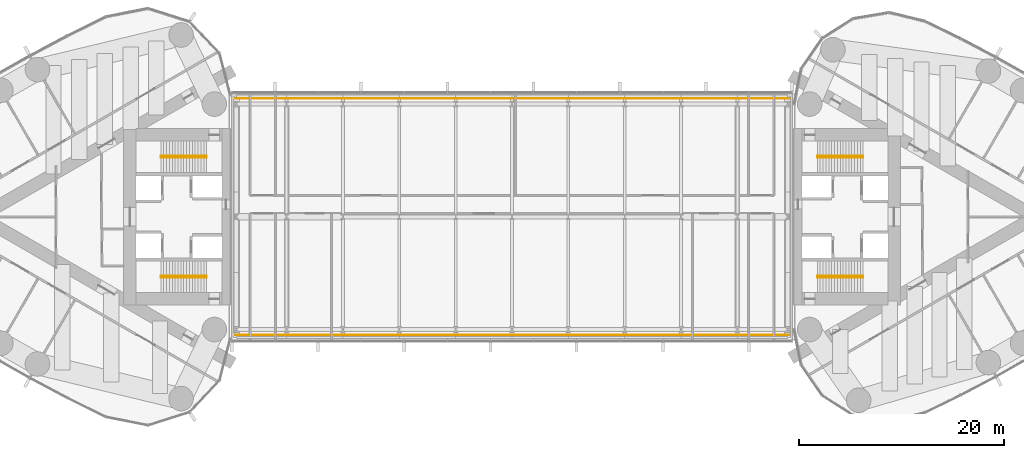
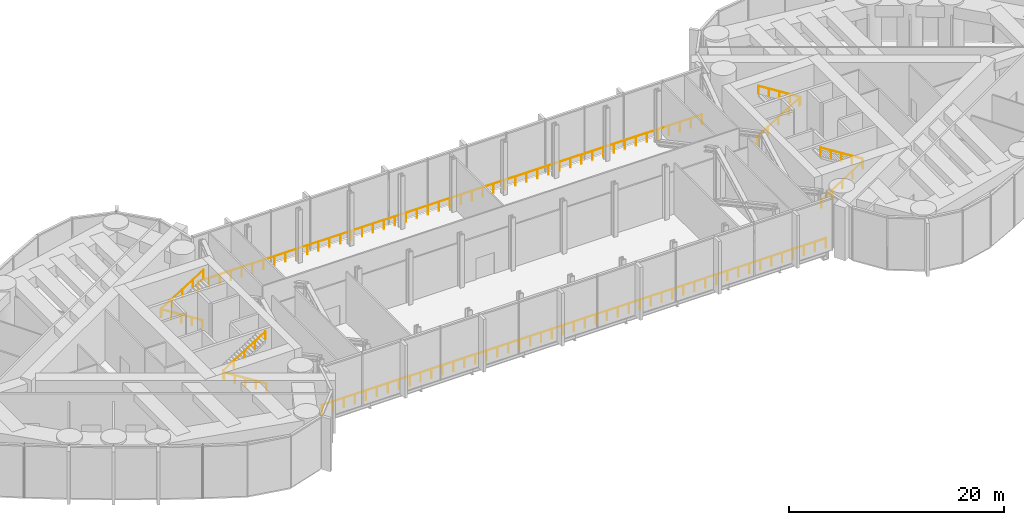
# One storey, part 21 of 21: 10 railings.
"""IFC4 building model written with IfcOpenShell, lengths in metres."""

from ifc_helpers import new_model, si_unit, direction, frame, origin, origin_2d, place, context, subcontext, project, spatial, circle, extrude, material, type_object, element, save


model = new_model("IFC4")

# Units and contexts
model_context = context("Model", 3, precision=1e-05, world=origin(), true_north=direction((0.0, 1.0)))
body_context = subcontext(model_context, "Body", "Model", "MODEL_VIEW")
ifc_project = project(units=[si_unit("LENGTHUNIT", "METRE"), si_unit("AREAUNIT", "SQUARE_METRE"), si_unit("VOLUMEUNIT", "CUBIC_METRE"), si_unit("PLANEANGLEUNIT", "RADIAN"), si_unit("MASSUNIT", "GRAM", prefix="KILO")], contexts=[model_context])

# Site, building, storey
site_placement = place(None, origin())
site = spatial("IfcSite", under=ifc_project, at=site_placement, CompositionType="ELEMENT")
building_placement = place(site_placement, origin())
building = spatial("IfcBuilding", under=site, at=building_placement, Name="Lancet Gate Hotel", CompositionType="ELEMENT")
storey_placement = place(building_placement, frame((0.0, 0.0, 257.300048828125)))
storey = spatial("IfcBuildingStorey", under=building, at=storey_placement, Name="L68", CompositionType="ELEMENT", Elevation=257.300048828125)

# Railings
ifc_material_1 = material(Name="Laminated glass balustrade", Category="glass")
railing_type_1 = type_object("IfcRailingType", Name="Glass balustrade 1100", PredefinedType="GUARDRAIL", material=ifc_material_1)
railing_1_placement = place(storey_placement, frame((-27.050048828125, -11.550048828125, 0.0)))
element("IfcRailing", 1, at=railing_1_placement, inside=storey, type_object=railing_type_1, Name="Bridge block balustrade S1 L68", PredefinedType="GUARDRAIL", context=body_context, shape_type="SweptSolid", body=[
    extrude(circle(Radius=0.02392578125, at=origin_2d()), frame((0.0, 0.0, 1.076171875), z_axis=(1.0, 0.0, 0.0), x_axis=(0.0, 1.0, 0.0)), (0.0, 0.0, 1.0), 54.10009765625),
    extrude(circle(Radius=0.02099609375, at=origin_2d()), origin(), (0.0, 0.0, 1.0), 1.052001953125),
    extrude(circle(Radius=0.02099609375, at=origin_2d()), frame((1.176025390625, 0.0, 0.0)), (0.0, 0.0, 1.0), 1.052001953125),
    extrude(circle(Radius=0.02099609375, at=origin_2d()), frame((2.352294921875, 0.0, 0.0)), (0.0, 0.0, 1.0), 1.052001953125),
    extrude(circle(Radius=0.02099609375, at=origin_2d()), frame((3.5283203125, 0.0, 0.0)), (0.0, 0.0, 1.0), 1.052001953125),
    extrude(circle(Radius=0.02099609375, at=origin_2d()), frame((4.704345703125, 0.0, 0.0)), (0.0, 0.0, 1.0), 1.052001953125),
    extrude(circle(Radius=0.02099609375, at=origin_2d()), frame((5.88037109375, 0.0, 0.0)), (0.0, 0.0, 1.0), 1.052001953125),
    extrude(circle(Radius=0.02099609375, at=origin_2d()), frame((7.056640625, 0.0, 0.0)), (0.0, 0.0, 1.0), 1.052001953125),
    extrude(circle(Radius=0.02099609375, at=origin_2d()), frame((8.232666015625, 0.0, 0.0)), (0.0, 0.0, 1.0), 1.052001953125),
    extrude(circle(Radius=0.02099609375, at=origin_2d()), frame((9.40869140625, 0.0, 0.0)), (0.0, 0.0, 1.0), 1.052001953125),
    extrude(circle(Radius=0.02099609375, at=origin_2d()), frame((10.584716796875, 0.0, 0.0)), (0.0, 0.0, 1.0), 1.052001953125),
    extrude(circle(Radius=0.02099609375, at=origin_2d()), frame((11.760986328125, 0.0, 0.0)), (0.0, 0.0, 1.0), 1.052001953125),
    extrude(circle(Radius=0.02099609375, at=origin_2d()), frame((12.93701171875, 0.0, 0.0)), (0.0, 0.0, 1.0), 1.052001953125),
    extrude(circle(Radius=0.02099609375, at=origin_2d()), frame((14.113037109375, 0.0, 0.0)), (0.0, 0.0, 1.0), 1.052001953125),
    extrude(circle(Radius=0.02099609375, at=origin_2d()), frame((15.2890625, 0.0, 0.0)), (0.0, 0.0, 1.0), 1.052001953125),
    extrude(circle(Radius=0.02099609375, at=origin_2d()), frame((16.46533203125, 0.0, 0.0)), (0.0, 0.0, 1.0), 1.052001953125),
    extrude(circle(Radius=0.02099609375, at=origin_2d()), frame((17.641357421875, 0.0, 0.0)), (0.0, 0.0, 1.0), 1.052001953125),
    extrude(circle(Radius=0.02099609375, at=origin_2d()), frame((18.8173828125, 0.0, 0.0)), (0.0, 0.0, 1.0), 1.052001953125),
    extrude(circle(Radius=0.02099609375, at=origin_2d()), frame((19.993408203125, 0.0, 0.0)), (0.0, 0.0, 1.0), 1.052001953125),
    extrude(circle(Radius=0.02099609375, at=origin_2d()), frame((21.169677734375, 0.0, 0.0)), (0.0, 0.0, 1.0), 1.052001953125),
    extrude(circle(Radius=0.02099609375, at=origin_2d()), frame((22.345703125, 0.0, 0.0)), (0.0, 0.0, 1.0), 1.052001953125),
    extrude(circle(Radius=0.02099609375, at=origin_2d()), frame((23.521728515625, 0.0, 0.0)), (0.0, 0.0, 1.0), 1.052001953125),
    extrude(circle(Radius=0.02099609375, at=origin_2d()), frame((24.69775390625, 0.0, 0.0)), (0.0, 0.0, 1.0), 1.052001953125),
    extrude(circle(Radius=0.02099609375, at=origin_2d()), frame((25.8740234375, 0.0, 0.0)), (0.0, 0.0, 1.0), 1.052001953125),
    extrude(circle(Radius=0.02099609375, at=origin_2d()), frame((27.050048828125, 0.0, 0.0)), (0.0, 0.0, 1.0), 1.052001953125),
    extrude(circle(Radius=0.02099609375, at=origin_2d()), frame((28.22607421875, 0.0, 0.0)), (0.0, 0.0, 1.0), 1.052001953125),
    extrude(circle(Radius=0.02099609375, at=origin_2d()), frame((29.40234375, 0.0, 0.0)), (0.0, 0.0, 1.0), 1.052001953125),
    extrude(circle(Radius=0.02099609375, at=origin_2d()), frame((30.578369140625, 0.0, 0.0)), (0.0, 0.0, 1.0), 1.052001953125),
    extrude(circle(Radius=0.02099609375, at=origin_2d()), frame((31.75439453125, 0.0, 0.0)), (0.0, 0.0, 1.0), 1.052001953125),
    extrude(circle(Radius=0.02099609375, at=origin_2d()), frame((32.930419921875, 0.0, 0.0)), (0.0, 0.0, 1.0), 1.052001953125),
    extrude(circle(Radius=0.02099609375, at=origin_2d()), frame((34.106689453125, 0.0, 0.0)), (0.0, 0.0, 1.0), 1.052001953125),
    extrude(circle(Radius=0.02099609375, at=origin_2d()), frame((35.28271484375, 0.0, 0.0)), (0.0, 0.0, 1.0), 1.052001953125),
    extrude(circle(Radius=0.02099609375, at=origin_2d()), frame((36.458740234375, 0.0, 0.0)), (0.0, 0.0, 1.0), 1.052001953125),
    extrude(circle(Radius=0.02099609375, at=origin_2d()), frame((37.634765625, 0.0, 0.0)), (0.0, 0.0, 1.0), 1.052001953125),
    extrude(circle(Radius=0.02099609375, at=origin_2d()), frame((38.81103515625, 0.0, 0.0)), (0.0, 0.0, 1.0), 1.052001953125),
    extrude(circle(Radius=0.02099609375, at=origin_2d()), frame((39.987060546875, 0.0, 0.0)), (0.0, 0.0, 1.0), 1.052001953125),
    extrude(circle(Radius=0.02099609375, at=origin_2d()), frame((41.1630859375, 0.0, 0.0)), (0.0, 0.0, 1.0), 1.052001953125),
    extrude(circle(Radius=0.02099609375, at=origin_2d()), frame((42.339111328125, 0.0, 0.0)), (0.0, 0.0, 1.0), 1.052001953125),
    extrude(circle(Radius=0.02099609375, at=origin_2d()), frame((43.515380859375, 0.0, 0.0)), (0.0, 0.0, 1.0), 1.052001953125),
    extrude(circle(Radius=0.02099609375, at=origin_2d()), frame((44.69140625, 0.0, 0.0)), (0.0, 0.0, 1.0), 1.052001953125),
    extrude(circle(Radius=0.02099609375, at=origin_2d()), frame((45.867431640625, 0.0, 0.0)), (0.0, 0.0, 1.0), 1.052001953125),
    extrude(circle(Radius=0.02099609375, at=origin_2d()), frame((47.04345703125, 0.0, 0.0)), (0.0, 0.0, 1.0), 1.052001953125),
    extrude(circle(Radius=0.02099609375, at=origin_2d()), frame((48.2197265625, 0.0, 0.0)), (0.0, 0.0, 1.0), 1.052001953125),
    extrude(circle(Radius=0.02099609375, at=origin_2d()), frame((49.395751953125, 0.0, 0.0)), (0.0, 0.0, 1.0), 1.052001953125),
    extrude(circle(Radius=0.02099609375, at=origin_2d()), frame((50.57177734375, 0.0, 0.0)), (0.0, 0.0, 1.0), 1.052001953125),
    extrude(circle(Radius=0.02099609375, at=origin_2d()), frame((51.747802734375, 0.0, 0.0)), (0.0, 0.0, 1.0), 1.052001953125),
    extrude(circle(Radius=0.02099609375, at=origin_2d()), frame((52.924072265625, 0.0, 0.0)), (0.0, 0.0, 1.0), 1.052001953125),
    extrude(circle(Radius=0.02099609375, at=origin_2d()), frame((54.10009765625, 0.0, 0.0)), (0.0, 0.0, 1.0), 1.052001953125),
])
railing_2_placement = place(storey_placement, frame((27.050048828125, 11.550048828125, 0.0)))
element("IfcRailing", 2, at=railing_2_placement, inside=storey, type_object=railing_type_1, Name="Bridge block balustrade N1 L68", PredefinedType="GUARDRAIL", context=body_context, shape_type="SweptSolid", body=[
    extrude(circle(Radius=0.02392578125, at=origin_2d()), frame((0.0, 0.0, 1.076171875), z_axis=(-1.0, 0.0, 0.0), x_axis=(0.0, -1.0, 0.0)), (0.0, 0.0, 1.0), 54.10009765625),
    extrude(circle(Radius=0.02099609375, at=origin_2d()), origin(), (0.0, 0.0, 1.0), 1.052001953125),
    extrude(circle(Radius=0.02099609375, at=origin_2d()), frame((-1.176025390625, 0.0, 0.0)), (0.0, 0.0, 1.0), 1.052001953125),
    extrude(circle(Radius=0.02099609375, at=origin_2d()), frame((-2.352294921875, 0.0, 0.0)), (0.0, 0.0, 1.0), 1.052001953125),
    extrude(circle(Radius=0.02099609375, at=origin_2d()), frame((-3.5283203125, 0.0, 0.0)), (0.0, 0.0, 1.0), 1.052001953125),
    extrude(circle(Radius=0.02099609375, at=origin_2d()), frame((-4.704345703125, 0.0, 0.0)), (0.0, 0.0, 1.0), 1.052001953125),
    extrude(circle(Radius=0.02099609375, at=origin_2d()), frame((-5.88037109375, 0.0, 0.0)), (0.0, 0.0, 1.0), 1.052001953125),
    extrude(circle(Radius=0.02099609375, at=origin_2d()), frame((-7.056640625, 0.0, 0.0)), (0.0, 0.0, 1.0), 1.052001953125),
    extrude(circle(Radius=0.02099609375, at=origin_2d()), frame((-8.232666015625, 0.0, 0.0)), (0.0, 0.0, 1.0), 1.052001953125),
    extrude(circle(Radius=0.02099609375, at=origin_2d()), frame((-9.40869140625, 0.0, 0.0)), (0.0, 0.0, 1.0), 1.052001953125),
    extrude(circle(Radius=0.02099609375, at=origin_2d()), frame((-10.584716796875, 0.0, 0.0)), (0.0, 0.0, 1.0), 1.052001953125),
    extrude(circle(Radius=0.02099609375, at=origin_2d()), frame((-11.760986328125, 0.0, 0.0)), (0.0, 0.0, 1.0), 1.052001953125),
    extrude(circle(Radius=0.02099609375, at=origin_2d()), frame((-12.93701171875, 0.0, 0.0)), (0.0, 0.0, 1.0), 1.052001953125),
    extrude(circle(Radius=0.02099609375, at=origin_2d()), frame((-14.113037109375, 0.0, 0.0)), (0.0, 0.0, 1.0), 1.052001953125),
    extrude(circle(Radius=0.02099609375, at=origin_2d()), frame((-15.2890625, 0.0, 0.0)), (0.0, 0.0, 1.0), 1.052001953125),
    extrude(circle(Radius=0.02099609375, at=origin_2d()), frame((-16.46533203125, 0.0, 0.0)), (0.0, 0.0, 1.0), 1.052001953125),
    extrude(circle(Radius=0.02099609375, at=origin_2d()), frame((-17.641357421875, 0.0, 0.0)), (0.0, 0.0, 1.0), 1.052001953125),
    extrude(circle(Radius=0.02099609375, at=origin_2d()), frame((-18.8173828125, 0.0, 0.0)), (0.0, 0.0, 1.0), 1.052001953125),
    extrude(circle(Radius=0.02099609375, at=origin_2d()), frame((-19.993408203125, 0.0, 0.0)), (0.0, 0.0, 1.0), 1.052001953125),
    extrude(circle(Radius=0.02099609375, at=origin_2d()), frame((-21.169677734375, 0.0, 0.0)), (0.0, 0.0, 1.0), 1.052001953125),
    extrude(circle(Radius=0.02099609375, at=origin_2d()), frame((-22.345703125, 0.0, 0.0)), (0.0, 0.0, 1.0), 1.052001953125),
    extrude(circle(Radius=0.02099609375, at=origin_2d()), frame((-23.521728515625, 0.0, 0.0)), (0.0, 0.0, 1.0), 1.052001953125),
    extrude(circle(Radius=0.02099609375, at=origin_2d()), frame((-24.69775390625, 0.0, 0.0)), (0.0, 0.0, 1.0), 1.052001953125),
    extrude(circle(Radius=0.02099609375, at=origin_2d()), frame((-25.8740234375, 0.0, 0.0)), (0.0, 0.0, 1.0), 1.052001953125),
    extrude(circle(Radius=0.02099609375, at=origin_2d()), frame((-27.050048828125, 0.0, 0.0)), (0.0, 0.0, 1.0), 1.052001953125),
    extrude(circle(Radius=0.02099609375, at=origin_2d()), frame((-28.22607421875, 0.0, 0.0)), (0.0, 0.0, 1.0), 1.052001953125),
    extrude(circle(Radius=0.02099609375, at=origin_2d()), frame((-29.40234375, 0.0, 0.0)), (0.0, 0.0, 1.0), 1.052001953125),
    extrude(circle(Radius=0.02099609375, at=origin_2d()), frame((-30.578369140625, 0.0, 0.0)), (0.0, 0.0, 1.0), 1.052001953125),
    extrude(circle(Radius=0.02099609375, at=origin_2d()), frame((-31.75439453125, 0.0, 0.0)), (0.0, 0.0, 1.0), 1.052001953125),
    extrude(circle(Radius=0.02099609375, at=origin_2d()), frame((-32.930419921875, 0.0, 0.0)), (0.0, 0.0, 1.0), 1.052001953125),
    extrude(circle(Radius=0.02099609375, at=origin_2d()), frame((-34.106689453125, 0.0, 0.0)), (0.0, 0.0, 1.0), 1.052001953125),
    extrude(circle(Radius=0.02099609375, at=origin_2d()), frame((-35.28271484375, 0.0, 0.0)), (0.0, 0.0, 1.0), 1.052001953125),
    extrude(circle(Radius=0.02099609375, at=origin_2d()), frame((-36.458740234375, 0.0, 0.0)), (0.0, 0.0, 1.0), 1.052001953125),
    extrude(circle(Radius=0.02099609375, at=origin_2d()), frame((-37.634765625, 0.0, 0.0)), (0.0, 0.0, 1.0), 1.052001953125),
    extrude(circle(Radius=0.02099609375, at=origin_2d()), frame((-38.81103515625, 0.0, 0.0)), (0.0, 0.0, 1.0), 1.052001953125),
    extrude(circle(Radius=0.02099609375, at=origin_2d()), frame((-39.987060546875, 0.0, 0.0)), (0.0, 0.0, 1.0), 1.052001953125),
    extrude(circle(Radius=0.02099609375, at=origin_2d()), frame((-41.1630859375, 0.0, 0.0)), (0.0, 0.0, 1.0), 1.052001953125),
    extrude(circle(Radius=0.02099609375, at=origin_2d()), frame((-42.339111328125, 0.0, 0.0)), (0.0, 0.0, 1.0), 1.052001953125),
    extrude(circle(Radius=0.02099609375, at=origin_2d()), frame((-43.515380859375, 0.0, 0.0)), (0.0, 0.0, 1.0), 1.052001953125),
    extrude(circle(Radius=0.02099609375, at=origin_2d()), frame((-44.69140625, 0.0, 0.0)), (0.0, 0.0, 1.0), 1.052001953125),
    extrude(circle(Radius=0.02099609375, at=origin_2d()), frame((-45.867431640625, 0.0, 0.0)), (0.0, 0.0, 1.0), 1.052001953125),
    extrude(circle(Radius=0.02099609375, at=origin_2d()), frame((-47.04345703125, 0.0, 0.0)), (0.0, 0.0, 1.0), 1.052001953125),
    extrude(circle(Radius=0.02099609375, at=origin_2d()), frame((-48.2197265625, 0.0, 0.0)), (0.0, 0.0, 1.0), 1.052001953125),
    extrude(circle(Radius=0.02099609375, at=origin_2d()), frame((-49.395751953125, 0.0, 0.0)), (0.0, 0.0, 1.0), 1.052001953125),
    extrude(circle(Radius=0.02099609375, at=origin_2d()), frame((-50.57177734375, 0.0, 0.0)), (0.0, 0.0, 1.0), 1.052001953125),
    extrude(circle(Radius=0.02099609375, at=origin_2d()), frame((-51.747802734375, 0.0, 0.0)), (0.0, 0.0, 1.0), 1.052001953125),
    extrude(circle(Radius=0.02099609375, at=origin_2d()), frame((-52.924072265625, 0.0, 0.0)), (0.0, 0.0, 1.0), 1.052001953125),
    extrude(circle(Radius=0.02099609375, at=origin_2d()), frame((-54.10009765625, 0.0, 0.0)), (0.0, 0.0, 1.0), 1.052001953125),
])
ifc_material_2 = material(Name="Stainless steel handrail", Category="steel")
railing_type_2 = type_object("IfcRailingType", Name="Stair handrail 900", PredefinedType="HANDRAIL", material=ifc_material_2)
railing_3_placement = place(storey_placement, frame((-29.800048828125, 5.929931640625, 0.176513671875)))
element("IfcRailing", 3, at=railing_3_placement, inside=storey, type_object=railing_type_2, Name="ST1 handrail flight 1 L68", PredefinedType="HANDRAIL", context=body_context, shape_type="SweptSolid", body=[
    extrude(circle(Radius=0.02392578125, at=origin_2d()), frame((0.0, 0.0, 0.8759765625), z_axis=(-0.845997938375, 0.0, 0.533186166611), x_axis=(0.0, -1.0, 0.0)), (0.0, 0.0, 1.0), 5.29541015625),
    extrude(circle(Radius=0.02099609375, at=origin_2d()), origin(), (0.0, 0.0, 1.0), 0.851806640625),
    extrude(circle(Radius=0.02099609375, at=origin_2d()), frame((-1.1201171875, 0.0, 0.705810546875)), (0.0, 0.0, 1.0), 0.851806640625),
    extrude(circle(Radius=0.02099609375, at=origin_2d()), frame((-2.239990234375, 0.0, 1.41162109375)), (0.0, 0.0, 1.0), 0.851806640625),
    extrude(circle(Radius=0.02099609375, at=origin_2d()), frame((-3.35986328125, 0.0, 2.11767578125)), (0.0, 0.0, 1.0), 0.851806640625),
    extrude(circle(Radius=0.02099609375, at=origin_2d()), frame((-4.47998046875, 0.0, 2.823486328125)), (0.0, 0.0, 1.0), 0.851806640625),
])
railing_4_placement = place(storey_placement, frame((-34.280029296875, 5.77001953125, 3.176513671875)))
element("IfcRailing", 4, at=railing_4_placement, inside=storey, type_object=railing_type_2, Name="ST1 handrail flight 2 L68", PredefinedType="HANDRAIL", context=body_context, shape_type="SweptSolid", body=[
    extrude(circle(Radius=0.02392578125, at=origin_2d()), frame((0.0, 0.0, 0.8759765625), z_axis=(0.845997938375, 0.0, 0.533186166611), x_axis=(0.0, 1.0, 0.0)), (0.0, 0.0, 1.0), 5.29541015625),
    extrude(circle(Radius=0.02099609375, at=origin_2d()), origin(), (0.0, 0.0, 1.0), 0.851806640625),
    extrude(circle(Radius=0.02099609375, at=origin_2d()), frame((1.1201171875, 0.0, 0.705810546875)), (0.0, 0.0, 1.0), 0.851806640625),
    extrude(circle(Radius=0.02099609375, at=origin_2d()), frame((2.239990234375, 0.0, 1.41162109375)), (0.0, 0.0, 1.0), 0.851806640625),
    extrude(circle(Radius=0.02099609375, at=origin_2d()), frame((3.35986328125, 0.0, 2.11767578125)), (0.0, 0.0, 1.0), 0.851806640625),
    extrude(circle(Radius=0.02099609375, at=origin_2d()), frame((4.47998046875, 0.0, 2.823486328125)), (0.0, 0.0, 1.0), 0.851806640625),
])
railing_5_placement = place(storey_placement, frame((-29.800048828125, -5.929931640625, 0.176513671875)))
element("IfcRailing", 5, at=railing_5_placement, inside=storey, type_object=railing_type_2, Name="ST2 handrail flight 1 L68", PredefinedType="HANDRAIL", context=body_context, shape_type="SweptSolid", body=[
    extrude(circle(Radius=0.02392578125, at=origin_2d()), frame((0.0, 0.0, 0.8759765625), z_axis=(-0.845997938375, 0.0, 0.533186166611), x_axis=(0.0, -1.0, 0.0)), (0.0, 0.0, 1.0), 5.29541015625),
    extrude(circle(Radius=0.02099609375, at=origin_2d()), origin(), (0.0, 0.0, 1.0), 0.851806640625),
    extrude(circle(Radius=0.02099609375, at=origin_2d()), frame((-1.1201171875, 0.0, 0.705810546875)), (0.0, 0.0, 1.0), 0.851806640625),
    extrude(circle(Radius=0.02099609375, at=origin_2d()), frame((-2.239990234375, 0.0, 1.41162109375)), (0.0, 0.0, 1.0), 0.851806640625),
    extrude(circle(Radius=0.02099609375, at=origin_2d()), frame((-3.35986328125, 0.0, 2.11767578125)), (0.0, 0.0, 1.0), 0.851806640625),
    extrude(circle(Radius=0.02099609375, at=origin_2d()), frame((-4.47998046875, 0.0, 2.823486328125)), (0.0, 0.0, 1.0), 0.851806640625),
])
for number, where, name in (
    (6, (-34.280029296875, -5.77001953125, 3.176513671875), "ST2 handrail flight 2 L68"),
    (7, (29.800048828125, -5.929931640625, 0.176513671875), "ST3 handrail flight 1 L68"),
):
    element("IfcRailing", number, at=place(storey_placement, frame(where)), inside=storey, type_object=railing_type_2, Name=name, PredefinedType="HANDRAIL", context=body_context, shape_type="SweptSolid", body=[
        extrude(circle(Radius=0.02392578125, at=origin_2d()), frame((0.0, 0.0, 0.8759765625), z_axis=(0.845997938375, 0.0, 0.533186166611), x_axis=(0.0, 1.0, 0.0)), (0.0, 0.0, 1.0), 5.29541015625),
        extrude(circle(Radius=0.02099609375, at=origin_2d()), origin(), (0.0, 0.0, 1.0), 0.851806640625),
        extrude(circle(Radius=0.02099609375, at=origin_2d()), frame((1.1201171875, 0.0, 0.705810546875)), (0.0, 0.0, 1.0), 0.851806640625),
        extrude(circle(Radius=0.02099609375, at=origin_2d()), frame((2.239990234375, 0.0, 1.41162109375)), (0.0, 0.0, 1.0), 0.851806640625),
        extrude(circle(Radius=0.02099609375, at=origin_2d()), frame((3.35986328125, 0.0, 2.11767578125)), (0.0, 0.0, 1.0), 0.851806640625),
        extrude(circle(Radius=0.02099609375, at=origin_2d()), frame((4.47998046875, 0.0, 2.823486328125)), (0.0, 0.0, 1.0), 0.851806640625),
    ])
railing_6_placement = place(storey_placement, frame((34.280029296875, -5.77001953125, 3.176513671875)))
element("IfcRailing", 8, at=railing_6_placement, inside=storey, type_object=railing_type_2, Name="ST3 handrail flight 2 L68", PredefinedType="HANDRAIL", context=body_context, shape_type="SweptSolid", body=[
    extrude(circle(Radius=0.02392578125, at=origin_2d()), frame((0.0, 0.0, 0.8759765625), z_axis=(-0.845997938375, 0.0, 0.533186166611), x_axis=(0.0, -1.0, 0.0)), (0.0, 0.0, 1.0), 5.29541015625),
    extrude(circle(Radius=0.02099609375, at=origin_2d()), origin(), (0.0, 0.0, 1.0), 0.851806640625),
    extrude(circle(Radius=0.02099609375, at=origin_2d()), frame((-1.1201171875, 0.0, 0.705810546875)), (0.0, 0.0, 1.0), 0.851806640625),
    extrude(circle(Radius=0.02099609375, at=origin_2d()), frame((-2.239990234375, 0.0, 1.41162109375)), (0.0, 0.0, 1.0), 0.851806640625),
    extrude(circle(Radius=0.02099609375, at=origin_2d()), frame((-3.35986328125, 0.0, 2.11767578125)), (0.0, 0.0, 1.0), 0.851806640625),
    extrude(circle(Radius=0.02099609375, at=origin_2d()), frame((-4.47998046875, 0.0, 2.823486328125)), (0.0, 0.0, 1.0), 0.851806640625),
])
railing_7_placement = place(storey_placement, frame((29.800048828125, 5.929931640625, 0.176513671875)))
element("IfcRailing", 9, at=railing_7_placement, inside=storey, type_object=railing_type_2, Name="ST4 handrail flight 1 L68", PredefinedType="HANDRAIL", context=body_context, shape_type="SweptSolid", body=[
    extrude(circle(Radius=0.02392578125, at=origin_2d()), frame((0.0, 0.0, 0.8759765625), z_axis=(0.845997938375, 0.0, 0.533186166611), x_axis=(0.0, 1.0, 0.0)), (0.0, 0.0, 1.0), 5.29541015625),
    extrude(circle(Radius=0.02099609375, at=origin_2d()), origin(), (0.0, 0.0, 1.0), 0.851806640625),
    extrude(circle(Radius=0.02099609375, at=origin_2d()), frame((1.1201171875, 0.0, 0.705810546875)), (0.0, 0.0, 1.0), 0.851806640625),
    extrude(circle(Radius=0.02099609375, at=origin_2d()), frame((2.239990234375, 0.0, 1.41162109375)), (0.0, 0.0, 1.0), 0.851806640625),
    extrude(circle(Radius=0.02099609375, at=origin_2d()), frame((3.35986328125, 0.0, 2.11767578125)), (0.0, 0.0, 1.0), 0.851806640625),
    extrude(circle(Radius=0.02099609375, at=origin_2d()), frame((4.47998046875, 0.0, 2.823486328125)), (0.0, 0.0, 1.0), 0.851806640625),
])
railing_8_placement = place(storey_placement, frame((34.280029296875, 5.77001953125, 3.176513671875)))
element("IfcRailing", 10, at=railing_8_placement, inside=storey, type_object=railing_type_2, Name="ST4 handrail flight 2 L68", PredefinedType="HANDRAIL", context=body_context, shape_type="SweptSolid", body=[
    extrude(circle(Radius=0.02392578125, at=origin_2d()), frame((0.0, 0.0, 0.8759765625), z_axis=(-0.845997938375, 0.0, 0.533186166611), x_axis=(0.0, -1.0, 0.0)), (0.0, 0.0, 1.0), 5.29541015625),
    extrude(circle(Radius=0.02099609375, at=origin_2d()), origin(), (0.0, 0.0, 1.0), 0.851806640625),
    extrude(circle(Radius=0.02099609375, at=origin_2d()), frame((-1.1201171875, 0.0, 0.705810546875)), (0.0, 0.0, 1.0), 0.851806640625),
    extrude(circle(Radius=0.02099609375, at=origin_2d()), frame((-2.239990234375, 0.0, 1.41162109375)), (0.0, 0.0, 1.0), 0.851806640625),
    extrude(circle(Radius=0.02099609375, at=origin_2d()), frame((-3.35986328125, 0.0, 2.11767578125)), (0.0, 0.0, 1.0), 0.851806640625),
    extrude(circle(Radius=0.02099609375, at=origin_2d()), frame((-4.47998046875, 0.0, 2.823486328125)), (0.0, 0.0, 1.0), 0.851806640625),
])

save(model, "model.ifc")
